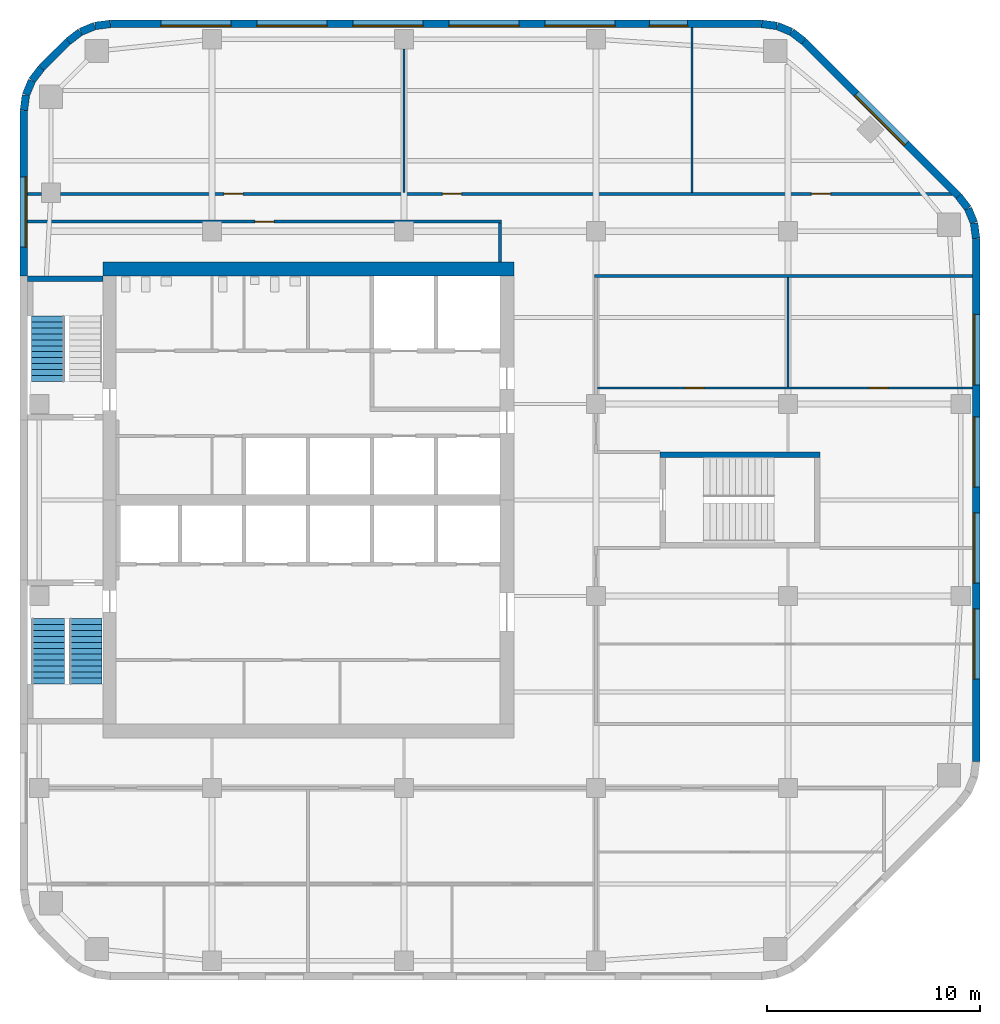
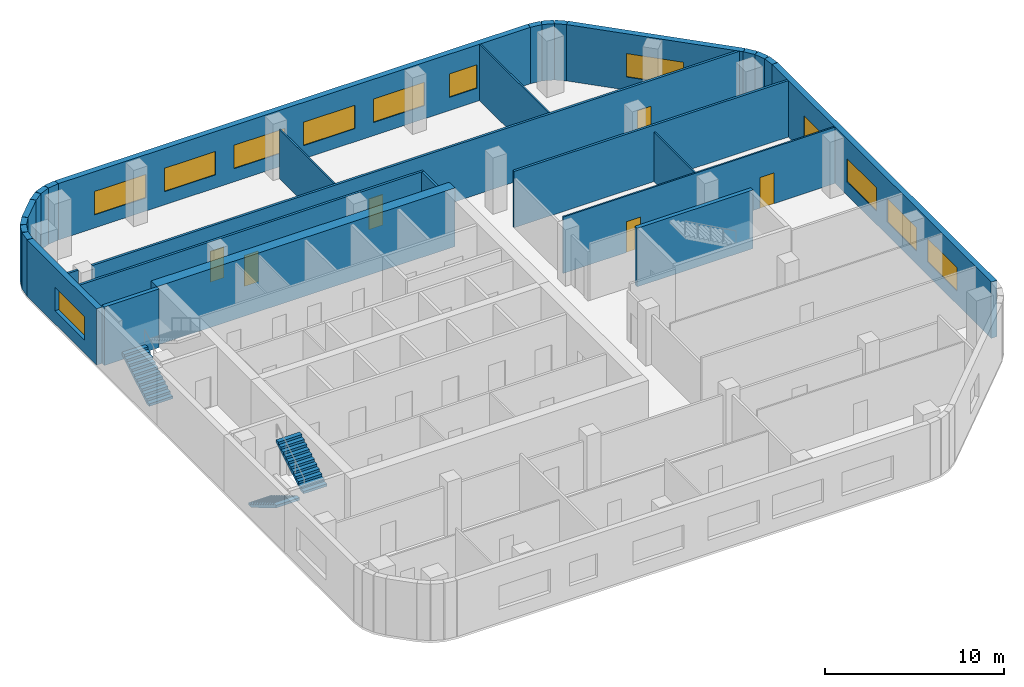
# One storey, part 5 of 8: 29 walls, 12 windows, 6 doors, 3 stair flights, 18 openings, 2 elements without a shape of their own.
"""IFC4 building model written with IfcOpenShell, lengths in metres."""

from ifc_helpers import new_model, si_unit, direction, frame, frame_2d, origin, place, context, subcontext, project, spatial, polyline, rectangle, outline, extrude, material, layer, layer_set, type_object, element, fill, aggregate, save


model = new_model("IFC4")

# Units and contexts
model_context = context("Model", 3, precision=1e-05, world=origin(), true_north=direction((0.0, 1.0)))
body_context = subcontext(model_context, "Body", "Model", "MODEL_VIEW")
ifc_project = project(units=[si_unit("LENGTHUNIT", "METRE"), si_unit("AREAUNIT", "SQUARE_METRE"), si_unit("VOLUMEUNIT", "CUBIC_METRE"), si_unit("PLANEANGLEUNIT", "RADIAN"), si_unit("MASSUNIT", "GRAM", prefix="KILO")], contexts=[model_context])

# Site, building, storey
site_placement = place(None, origin())
site = spatial("IfcSite", under=ifc_project, at=site_placement, CompositionType="ELEMENT")
building_placement = place(site_placement, origin())
building = spatial("IfcBuilding", under=site, at=building_placement, Name="Cinnabar Reach Civic Tower", CompositionType="ELEMENT")
storey_placement = place(building_placement, frame((0.0, 0.0, 177.0)))
storey = spatial("IfcBuildingStorey", under=building, at=storey_placement, Name="L42", CompositionType="ELEMENT", Elevation=177.0)

# Walls
ifc_material_1 = material(Name="Facing brick with insulated backing", Category="masonry")
ifc_layer_1 = layer(ifc_material_1, 0.36)
ifc_layer_set_1 = layer_set([ifc_layer_1], Name="Brick corner wall")
wall_type_1 = type_object("IfcWallType", Name="Brick corner wall", PredefinedType="STANDARD", material=ifc_layer_set_1)
for number, where, z_axis, x_axis, name in (
    (1, (44.817, 43.7686, 0.0), (0.0, 0.0, 1.0), (-0.13055608231, 0.99144092581, 0.0), "Brick corner wall"),
    (2, (44.7181, 44.4973, 0.0), (0.0, 0.0, 1.0), (-0.382702709855, 0.923871547278, 0.0), "Brick corner wall"),
):
    element("IfcWall", number, at=place(storey_placement, frame(where, z_axis=z_axis, x_axis=x_axis)), inside=storey, type_object=wall_type_1, Name=name, PredefinedType="STANDARD", context=body_context, shape_type="SweptSolid", body=[
        extrude(rectangle(XDim=0.7131, YDim=0.36, at=frame_2d((0.3565, 0.0))), origin(), (0.0, 0.0, 1.0), 3.85),
    ])
for number, where, z_axis, x_axis, name in (
    (3, (44.434, 45.1755, 0.0), (0.0, 0.0, 1.0), (-0.608802368033, 0.793321924995, 0.0), "Brick corner wall"),
    (4, (36.7413, 52.9998, 0.0), (0.0, 0.0, 1.0), (-0.793321924995, 0.608802368033, 0.0), "Brick corner wall"),
):
    element("IfcWall", number, at=place(storey_placement, frame(where, z_axis=z_axis, x_axis=x_axis)), inside=storey, type_object=wall_type_1, Name=name, PredefinedType="STANDARD", context=body_context, shape_type="SweptSolid", body=[
        extrude(rectangle(XDim=0.7132, YDim=0.36, at=frame_2d((0.3566, 0.0))), origin(), (0.0, 0.0, 1.0), 3.85),
    ])
for number, where, z_axis, x_axis, name in (
    (5, (36.1561, 53.4452, 0.0), (0.0, 0.0, 1.0), (-0.923871547278, 0.382702709855, 0.0), "Brick corner wall"),
    (6, (35.4756, 53.7239, 0.0), (0.0, 0.0, 1.0), (-0.99144092581, 0.13055608231, 0.0), "Brick corner wall"),
    (7, (4.2314, 53.817, 0.0), (0.0, 0.0, 1.0), (-0.99144092581, -0.13055608231, 0.0), "Brick corner wall"),
    (8, (3.5027, 53.7181, 0.0), (0.0, 0.0, 1.0), (-0.923871547278, -0.382702709855, 0.0), "Brick corner wall"),
):
    element("IfcWall", number, at=place(storey_placement, frame(where, z_axis=z_axis, x_axis=x_axis)), inside=storey, type_object=wall_type_1, Name=name, PredefinedType="STANDARD", context=body_context, shape_type="SweptSolid", body=[
        extrude(rectangle(XDim=0.7131, YDim=0.36, at=frame_2d((0.3565, 0.0))), origin(), (0.0, 0.0, 1.0), 3.85),
    ])
for number, where, z_axis, x_axis, name in (
    (9, (2.8245, 53.434, 0.0), (0.0, 0.0, 1.0), (-0.793321924995, -0.608802368033, 0.0), "Brick corner wall"),
    (10, (1.0002, 51.7413, 0.0), (0.0, 0.0, 1.0), (-0.608802368033, -0.793321924995, 0.0), "Brick corner wall"),
):
    element("IfcWall", number, at=place(storey_placement, frame(where, z_axis=z_axis, x_axis=x_axis)), inside=storey, type_object=wall_type_1, Name=name, PredefinedType="STANDARD", context=body_context, shape_type="SweptSolid", body=[
        extrude(rectangle(XDim=0.7132, YDim=0.36, at=frame_2d((0.3566, 0.0))), origin(), (0.0, 0.0, 1.0), 3.85),
    ])
for number, where, z_axis, x_axis, name in (
    (11, (0.5548, 51.1561, 0.0), (0.0, 0.0, 1.0), (-0.382702709855, -0.923871547278, 0.0), "Brick corner wall"),
    (12, (0.2761, 50.4756, 0.0), (0.0, 0.0, 1.0), (-0.13055608231, -0.99144092581, 0.0), "Brick corner wall"),
):
    element("IfcWall", number, at=place(storey_placement, frame(where, z_axis=z_axis, x_axis=x_axis)), inside=storey, type_object=wall_type_1, Name=name, PredefinedType="STANDARD", context=body_context, shape_type="SweptSolid", body=[
        extrude(rectangle(XDim=0.7131, YDim=0.36, at=frame_2d((0.3565, 0.0))), origin(), (0.0, 0.0, 1.0), 3.85),
    ])

# Wall, openings, windows
ifc_layer_2 = layer(ifc_material_1, 0.36)
ifc_layer_set_2 = layer_set([ifc_layer_2], Name="Brick pier and spandrel wall")
wall_type_2 = type_object("IfcWallType", Name="Brick pier and spandrel wall", PredefinedType="STANDARD", material=ifc_layer_set_2)
wall_1_placement = place(storey_placement, frame((44.82, 19.2426, 0.0), z_axis=(0.0, 0.0, 1.0), x_axis=(0.0, 1.0, 0.0)))
wall_1 = element("IfcWall", 13, at=wall_1_placement, inside=storey, type_object=wall_type_2, Name="Brick facade wall", PredefinedType="STANDARD", context=body_context, shape_type="SweptSolid", body=[
    extrude(rectangle(XDim=24.5148, YDim=0.36, at=frame_2d((12.2574, 0.0))), origin(), (0.0, 0.0, 1.0), 3.85),
])
opening_1_placement = place(wall_1_placement, frame((3.8574, 0.0, 0.9)))
opening_1 = element("IfcOpeningElement", 14, at=opening_1_placement, cuts=wall_1, Name="Opening W1868", PredefinedType="OPENING", context=body_context, shape_type="SweptSolid", body=[
    extrude(rectangle(XDim=3.3, YDim=1.6, at=frame_2d((1.65, 0.8))), frame((0.0, 0.19, 0.0), z_axis=(0.0, -1.0, 0.0), x_axis=(1.0, 0.0, 0.0)), (0.0, 0.0, 1.0), 0.38),
])
opening_2_placement = place(wall_1_placement, frame((8.3574, 0.0, 0.9)))
opening_2 = element("IfcOpeningElement", 15, at=opening_2_placement, cuts=wall_1, Name="Opening W1869", PredefinedType="OPENING", context=body_context, shape_type="SweptSolid", body=[
    extrude(rectangle(XDim=3.3, YDim=1.6, at=frame_2d((1.65, 0.8))), frame((0.0, 0.19, 0.0), z_axis=(0.0, -1.0, 0.0), x_axis=(1.0, 0.0, 0.0)), (0.0, 0.0, 1.0), 0.38),
])
opening_3_placement = place(wall_1_placement, frame((12.8574, 0.0, 0.9)))
opening_3 = element("IfcOpeningElement", 16, at=opening_3_placement, cuts=wall_1, Name="Opening W1870", PredefinedType="OPENING", context=body_context, shape_type="SweptSolid", body=[
    extrude(rectangle(XDim=3.3, YDim=1.6, at=frame_2d((1.65, 0.8))), frame((0.0, 0.19, 0.0), z_axis=(0.0, -1.0, 0.0), x_axis=(1.0, 0.0, 0.0)), (0.0, 0.0, 1.0), 0.38),
])
opening_4_placement = place(wall_1_placement, frame((17.6574, 0.0, 0.9)))
opening_4 = element("IfcOpeningElement", 17, at=opening_4_placement, cuts=wall_1, Name="Opening W1871", PredefinedType="OPENING", context=body_context, shape_type="SweptSolid", body=[
    extrude(rectangle(XDim=3.3, YDim=1.6, at=frame_2d((1.65, 0.8))), frame((0.0, 0.19, 0.0), z_axis=(0.0, -1.0, 0.0), x_axis=(1.0, 0.0, 0.0)), (0.0, 0.0, 1.0), 0.38),
])
ifc_material_2 = material(Name="Clear double glazing in aluminium frame", Category="aluminium")
window_type_1 = type_object("IfcWindowType", Name="Deep-set window A", PartitioningType="SINGLE_PANEL", PredefinedType="WINDOW", material=ifc_material_2)
window_1_placement = place(opening_1_placement, origin())
window_1 = element("IfcWindow", 18, at=window_1_placement, inside=storey, type_object=window_type_1, Name="Window east face", OverallHeight=1.6, OverallWidth=3.3, PartitioningType="SINGLE_PANEL", PredefinedType="WINDOW", context=body_context, shape_type="SweptSolid", body=[
    extrude(rectangle(XDim=3.3, YDim=1.6, at=frame_2d((1.65, 0.8))), frame((0.0, 0.13, 0.0), z_axis=(0.0, -1.0, 0.0), x_axis=(1.0, 0.0, 0.0)), (0.0, 0.0, 1.0), 0.06),
])
fill(opening_1, window_1)
window_2_placement = place(opening_2_placement, origin())
window_2 = element("IfcWindow", 19, at=window_2_placement, inside=storey, type_object=window_type_1, Name="Window east face", OverallHeight=1.6, OverallWidth=3.3, PartitioningType="SINGLE_PANEL", PredefinedType="WINDOW", context=body_context, shape_type="SweptSolid", body=[
    extrude(rectangle(XDim=3.3, YDim=1.6, at=frame_2d((1.65, 0.8))), frame((0.0, 0.13, 0.0), z_axis=(0.0, -1.0, 0.0), x_axis=(1.0, 0.0, 0.0)), (0.0, 0.0, 1.0), 0.06),
])
fill(opening_2, window_2)
window_3_placement = place(opening_3_placement, origin())
window_3 = element("IfcWindow", 20, at=window_3_placement, inside=storey, type_object=window_type_1, Name="Window east face", OverallHeight=1.6, OverallWidth=3.3, PartitioningType="SINGLE_PANEL", PredefinedType="WINDOW", context=body_context, shape_type="SweptSolid", body=[
    extrude(rectangle(XDim=3.3, YDim=1.6, at=frame_2d((1.65, 0.8))), frame((0.0, 0.13, 0.0), z_axis=(0.0, -1.0, 0.0), x_axis=(1.0, 0.0, 0.0)), (0.0, 0.0, 1.0), 0.06),
])
fill(opening_3, window_3)
window_4_placement = place(opening_4_placement, origin())
window_4 = element("IfcWindow", 21, at=window_4_placement, inside=storey, type_object=window_type_1, Name="Window east face", OverallHeight=1.6, OverallWidth=3.3, PartitioningType="SINGLE_PANEL", PredefinedType="WINDOW", context=body_context, shape_type="SweptSolid", body=[
    extrude(rectangle(XDim=3.3, YDim=1.6, at=frame_2d((1.65, 0.8))), frame((0.0, 0.13, 0.0), z_axis=(0.0, -1.0, 0.0), x_axis=(1.0, 0.0, 0.0)), (0.0, 0.0, 1.0), 0.06),
])
fill(opening_4, window_4)

# Wall, opening, window
wall_2_placement = place(storey_placement, frame((43.994, 45.7514, 0.0), z_axis=(0.0, 0.0, 1.0), x_axis=(-0.707106781187, 0.707106781187, 0.0)))
wall_2 = element("IfcWall", 22, at=wall_2_placement, inside=storey, type_object=wall_type_2, Name="Brick facade wall", PredefinedType="STANDARD", context=body_context, shape_type="SweptSolid", body=[
    extrude(rectangle(XDim=10.2426, YDim=0.36, at=frame_2d((5.1213, 0.0))), origin(), (0.0, 0.0, 1.0), 3.85),
])
opening_5_placement = place(wall_2_placement, frame((3.4713, 0.0, 0.9)))
opening_5 = element("IfcOpeningElement", 23, at=opening_5_placement, cuts=wall_2, Name="Opening W1872", PredefinedType="OPENING", context=body_context, shape_type="SweptSolid", body=[
    extrude(rectangle(XDim=3.3, YDim=1.6, at=frame_2d((1.65, 0.8))), frame((0.0, 0.19, 0.0), z_axis=(0.0, -1.0, 0.0), x_axis=(1.0, 0.0, 0.0)), (0.0, 0.0, 1.0), 0.38),
])
window_5_placement = place(opening_5_placement, origin())
window_5 = element("IfcWindow", 24, at=window_5_placement, inside=storey, type_object=window_type_1, Name="Window northeast face", OverallHeight=1.6, OverallWidth=3.3, PartitioningType="SINGLE_PANEL", PredefinedType="WINDOW", context=body_context, shape_type="SweptSolid", body=[
    extrude(rectangle(XDim=3.3, YDim=1.6, at=frame_2d((1.65, 0.8))), frame((0.0, 0.13, 0.0), z_axis=(0.0, -1.0, 0.0), x_axis=(1.0, 0.0, 0.0)), (0.0, 0.0, 1.0), 0.06),
])
fill(opening_5, window_5)

# Wall, openings, windows
wall_3_placement = place(storey_placement, frame((34.7574, 53.82, 0.0), z_axis=(0.0, 0.0, 1.0), x_axis=(-1.0, 0.0, 0.0)))
wall_3 = element("IfcWall", 25, at=wall_3_placement, inside=storey, type_object=wall_type_2, Name="Brick facade wall", PredefinedType="STANDARD", context=body_context, shape_type="SweptSolid", body=[
    extrude(rectangle(XDim=30.5148, YDim=0.36, at=frame_2d((15.2574, 0.0))), origin(), (0.0, 0.0, 1.0), 3.85),
])
opening_6_placement = place(wall_3_placement, frame((3.4574, 0.0, 0.9)))
opening_6 = element("IfcOpeningElement", 26, at=opening_6_placement, cuts=wall_3, Name="Opening W1873", PredefinedType="OPENING", context=body_context, shape_type="SweptSolid", body=[
    extrude(rectangle(XDim=1.8, YDim=1.6, at=frame_2d((0.9, 0.8))), frame((0.0, 0.19, 0.0), z_axis=(0.0, -1.0, 0.0), x_axis=(1.0, 0.0, 0.0)), (0.0, 0.0, 1.0), 0.38),
])
opening_7_placement = place(wall_3_placement, frame((6.8574, 0.0, 0.9)))
opening_7 = element("IfcOpeningElement", 27, at=opening_7_placement, cuts=wall_3, Name="Opening W1874", PredefinedType="OPENING", context=body_context, shape_type="SweptSolid", body=[
    extrude(rectangle(XDim=3.3, YDim=1.6, at=frame_2d((1.65, 0.8))), frame((0.0, 0.19, 0.0), z_axis=(0.0, -1.0, 0.0), x_axis=(1.0, 0.0, 0.0)), (0.0, 0.0, 1.0), 0.38),
])
opening_8_placement = place(wall_3_placement, frame((11.3574, 0.0, 0.9)))
opening_8 = element("IfcOpeningElement", 28, at=opening_8_placement, cuts=wall_3, Name="Opening W1875", PredefinedType="OPENING", context=body_context, shape_type="SweptSolid", body=[
    extrude(rectangle(XDim=3.3, YDim=1.6, at=frame_2d((1.65, 0.8))), frame((0.0, 0.19, 0.0), z_axis=(0.0, -1.0, 0.0), x_axis=(1.0, 0.0, 0.0)), (0.0, 0.0, 1.0), 0.38),
])
opening_9_placement = place(wall_3_placement, frame((15.8574, 0.0, 0.9)))
opening_9 = element("IfcOpeningElement", 29, at=opening_9_placement, cuts=wall_3, Name="Opening W1876", PredefinedType="OPENING", context=body_context, shape_type="SweptSolid", body=[
    extrude(rectangle(XDim=3.3, YDim=1.6, at=frame_2d((1.65, 0.8))), frame((0.0, 0.19, 0.0), z_axis=(0.0, -1.0, 0.0), x_axis=(1.0, 0.0, 0.0)), (0.0, 0.0, 1.0), 0.38),
])
opening_10_placement = place(wall_3_placement, frame((20.3574, 0.0, 0.9)))
opening_10 = element("IfcOpeningElement", 30, at=opening_10_placement, cuts=wall_3, Name="Opening W1877", PredefinedType="OPENING", context=body_context, shape_type="SweptSolid", body=[
    extrude(rectangle(XDim=3.3, YDim=1.6, at=frame_2d((1.65, 0.8))), frame((0.0, 0.19, 0.0), z_axis=(0.0, -1.0, 0.0), x_axis=(1.0, 0.0, 0.0)), (0.0, 0.0, 1.0), 0.38),
])
opening_11_placement = place(wall_3_placement, frame((24.8574, 0.0, 0.9)))
opening_11 = element("IfcOpeningElement", 31, at=opening_11_placement, cuts=wall_3, Name="Opening W1878", PredefinedType="OPENING", context=body_context, shape_type="SweptSolid", body=[
    extrude(rectangle(XDim=3.3, YDim=1.6, at=frame_2d((1.65, 0.8))), frame((0.0, 0.19, 0.0), z_axis=(0.0, -1.0, 0.0), x_axis=(1.0, 0.0, 0.0)), (0.0, 0.0, 1.0), 0.38),
])
window_6_placement = place(opening_7_placement, origin())
window_6 = element("IfcWindow", 32, at=window_6_placement, inside=storey, type_object=window_type_1, Name="Window north face", OverallHeight=1.6, OverallWidth=3.3, PartitioningType="SINGLE_PANEL", PredefinedType="WINDOW", context=body_context, shape_type="SweptSolid", body=[
    extrude(rectangle(XDim=3.3, YDim=1.6, at=frame_2d((1.65, 0.8))), frame((0.0, 0.13, 0.0), z_axis=(0.0, -1.0, 0.0), x_axis=(1.0, 0.0, 0.0)), (0.0, 0.0, 1.0), 0.06),
])
fill(opening_7, window_6)
window_7_placement = place(opening_8_placement, origin())
window_7 = element("IfcWindow", 33, at=window_7_placement, inside=storey, type_object=window_type_1, Name="Window north face", OverallHeight=1.6, OverallWidth=3.3, PartitioningType="SINGLE_PANEL", PredefinedType="WINDOW", context=body_context, shape_type="SweptSolid", body=[
    extrude(rectangle(XDim=3.3, YDim=1.6, at=frame_2d((1.65, 0.8))), frame((0.0, 0.13, 0.0), z_axis=(0.0, -1.0, 0.0), x_axis=(1.0, 0.0, 0.0)), (0.0, 0.0, 1.0), 0.06),
])
fill(opening_8, window_7)
window_8_placement = place(opening_9_placement, origin())
window_8 = element("IfcWindow", 34, at=window_8_placement, inside=storey, type_object=window_type_1, Name="Window north face", OverallHeight=1.6, OverallWidth=3.3, PartitioningType="SINGLE_PANEL", PredefinedType="WINDOW", context=body_context, shape_type="SweptSolid", body=[
    extrude(rectangle(XDim=3.3, YDim=1.6, at=frame_2d((1.65, 0.8))), frame((0.0, 0.13, 0.0), z_axis=(0.0, -1.0, 0.0), x_axis=(1.0, 0.0, 0.0)), (0.0, 0.0, 1.0), 0.06),
])
fill(opening_9, window_8)
window_9_placement = place(opening_10_placement, origin())
window_9 = element("IfcWindow", 35, at=window_9_placement, inside=storey, type_object=window_type_1, Name="Window north face", OverallHeight=1.6, OverallWidth=3.3, PartitioningType="SINGLE_PANEL", PredefinedType="WINDOW", context=body_context, shape_type="SweptSolid", body=[
    extrude(rectangle(XDim=3.3, YDim=1.6, at=frame_2d((1.65, 0.8))), frame((0.0, 0.13, 0.0), z_axis=(0.0, -1.0, 0.0), x_axis=(1.0, 0.0, 0.0)), (0.0, 0.0, 1.0), 0.06),
])
fill(opening_10, window_9)
window_10_placement = place(opening_11_placement, origin())
window_10 = element("IfcWindow", 36, at=window_10_placement, inside=storey, type_object=window_type_1, Name="Window north face", OverallHeight=1.6, OverallWidth=3.3, PartitioningType="SINGLE_PANEL", PredefinedType="WINDOW", context=body_context, shape_type="SweptSolid", body=[
    extrude(rectangle(XDim=3.3, YDim=1.6, at=frame_2d((1.65, 0.8))), frame((0.0, 0.13, 0.0), z_axis=(0.0, -1.0, 0.0), x_axis=(1.0, 0.0, 0.0)), (0.0, 0.0, 1.0), 0.06),
])
fill(opening_11, window_10)
window_type_2 = type_object("IfcWindowType", Name="Deep-set window D", PartitioningType="SINGLE_PANEL", PredefinedType="WINDOW", material=ifc_material_2)
window_11_placement = place(opening_6_placement, origin())
window_11 = element("IfcWindow", 37, at=window_11_placement, inside=storey, type_object=window_type_2, Name="Window north face", OverallHeight=1.6, OverallWidth=1.8, PartitioningType="SINGLE_PANEL", PredefinedType="WINDOW", context=body_context, shape_type="SweptSolid", body=[
    extrude(rectangle(XDim=1.8, YDim=1.6, at=frame_2d((0.9, 0.8))), frame((0.0, 0.13, 0.0), z_axis=(0.0, -1.0, 0.0), x_axis=(1.0, 0.0, 0.0)), (0.0, 0.0, 1.0), 0.06),
])
fill(opening_6, window_11)

# Wall
wall_4_placement = place(storey_placement, frame((2.2486, 52.994, 0.0), z_axis=(0.0, 0.0, 1.0), x_axis=(-0.707106781187, -0.707106781187, 0.0)))
element("IfcWall", 38, at=wall_4_placement, inside=storey, type_object=wall_type_2, Name="Brick facade wall", PredefinedType="STANDARD", context=body_context, shape_type="SweptSolid", body=[
    extrude(rectangle(XDim=1.7573, YDim=0.36, at=frame_2d((0.8787, 0.0))), origin(), (0.0, 0.0, 1.0), 3.85),
])

# Wall, opening, window
wall_5_placement = place(storey_placement, frame((0.18, 49.7574, 0.0), z_axis=(0.0, 0.0, 1.0), x_axis=(0.0, -1.0, 0.0)))
wall_5 = element("IfcWall", 39, at=wall_5_placement, inside=storey, type_object=wall_type_2, Name="Brick facade wall", PredefinedType="STANDARD", context=body_context, shape_type="SweptSolid", body=[
    extrude(rectangle(XDim=7.7574, YDim=0.36, at=frame_2d((3.8787, 0.0))), origin(), (0.0, 0.0, 1.0), 3.85),
])
opening_12_placement = place(wall_5_placement, frame((3.1074, 0.0, 0.9)))
opening_12 = element("IfcOpeningElement", 40, at=opening_12_placement, cuts=wall_5, Name="Opening W1879", PredefinedType="OPENING", context=body_context, shape_type="SweptSolid", body=[
    extrude(rectangle(XDim=3.3, YDim=1.6, at=frame_2d((1.65, 0.8))), frame((0.0, 0.19, 0.0), z_axis=(0.0, -1.0, 0.0), x_axis=(1.0, 0.0, 0.0)), (0.0, 0.0, 1.0), 0.38),
])
window_12_placement = place(opening_12_placement, origin())
window_12 = element("IfcWindow", 41, at=window_12_placement, inside=storey, type_object=window_type_1, Name="Window west face", OverallHeight=1.6, OverallWidth=3.3, PartitioningType="SINGLE_PANEL", PredefinedType="WINDOW", context=body_context, shape_type="SweptSolid", body=[
    extrude(rectangle(XDim=3.3, YDim=1.6, at=frame_2d((1.65, 0.8))), frame((0.0, 0.13, 0.0), z_axis=(0.0, -1.0, 0.0), x_axis=(1.0, 0.0, 0.0)), (0.0, 0.0, 1.0), 0.06),
])
fill(opening_12, window_12)

# Wall
ifc_material_3 = material(Name="Concrete C70", Category="concrete")
ifc_layer_3 = layer(ifc_material_3, 0.65)
ifc_layer_set_3 = layer_set([ifc_layer_3], Name="Core wall 650 EI 180")
wall_type_3 = type_object("IfcWallType", Name="Core wall 650 EI 180", PredefinedType="SOLIDWALL", material=ifc_layer_set_3)
wall_6_placement = place(storey_placement, frame((23.15, 42.325, 0.0), z_axis=(0.0, 0.0, 1.0), x_axis=(-1.0, 0.0, 0.0)))
element("IfcWall", 42, at=wall_6_placement, inside=storey, type_object=wall_type_3, Name="Core wall T1 L42 N", PredefinedType="SOLIDWALL", context=body_context, shape_type="SweptSolid", body=[
    extrude(rectangle(XDim=19.25, YDim=0.65, at=frame_2d((9.625, 0.0))), origin(), (0.0, 0.0, 1.0), 4.0),
])

# Wall, openings, doors
ifc_material_4 = material(Name="Gypsum board on steel studs, double layer", Category="steel")
ifc_layer_4 = layer(ifc_material_4, 0.15)
ifc_layer_set_4 = layer_set([ifc_layer_4], Name="Corridor wall 150 T1")
wall_type_4 = type_object("IfcWallType", Name="Corridor wall 150 T1", PredefinedType="PARTITIONING", material=ifc_layer_set_4)
wall_7_placement = place(storey_placement, frame((1.9031, 45.85, 0.0), z_axis=(0.0, 0.0, 1.0), x_axis=(1.0, 0.0, 0.0)))
wall_7 = element("IfcWall", 43, at=wall_7_placement, inside=storey, type_object=wall_type_4, Name="Corridor wall 18", PredefinedType="PARTITIONING", context=body_context, shape_type="SweptSolid", body=[
    extrude(rectangle(XDim=41.8128, YDim=0.15, at=frame_2d((20.9064, 0.0))), origin(), (0.0, 0.0, 1.0), 3.85),
])
opening_13_placement = place(wall_7_placement, frame((7.65, 0.0, 0.0)))
opening_13 = element("IfcOpeningElement", 44, at=opening_13_placement, cuts=wall_7, Name="Opening D4748", PredefinedType="OPENING", context=body_context, shape_type="SweptSolid", body=[
    extrude(rectangle(XDim=0.9, YDim=2.1, at=frame_2d((0.45, 1.05))), frame((0.0, 0.085, 0.0), z_axis=(0.0, -1.0, 0.0), x_axis=(1.0, 0.0, 0.0)), (0.0, 0.0, 1.0), 0.17),
])
opening_14_placement = place(wall_7_placement, frame((17.8969, 0.0, 0.0)))
opening_14 = element("IfcOpeningElement", 45, at=opening_14_placement, cuts=wall_7, Name="Opening D4749", PredefinedType="OPENING", context=body_context, shape_type="SweptSolid", body=[
    extrude(rectangle(XDim=0.9, YDim=2.1, at=frame_2d((0.45, 1.05))), frame((0.0, 0.085, 0.0), z_axis=(0.0, -1.0, 0.0), x_axis=(1.0, 0.0, 0.0)), (0.0, 0.0, 1.0), 0.17),
])
opening_15_placement = place(wall_7_placement, frame((35.1969, 0.0, 0.0)))
opening_15 = element("IfcOpeningElement", 46, at=opening_15_placement, cuts=wall_7, Name="Opening D4750", PredefinedType="OPENING", context=body_context, shape_type="SweptSolid", body=[
    extrude(rectangle(XDim=0.9, YDim=2.1, at=frame_2d((0.45, 1.05))), frame((0.0, 0.085, 0.0), z_axis=(0.0, -1.0, 0.0), x_axis=(1.0, 0.0, 0.0)), (0.0, 0.0, 1.0), 0.17),
])
ifc_material_5 = material(Name="Timber door leaf in steel frame", Category="steel")
door_type_1 = type_object("IfcDoorType", Name="Single swing door 900 x 2100 corridor T1", OperationType="SINGLE_SWING_LEFT", PredefinedType="DOOR", material=ifc_material_5)
door_1_placement = place(opening_13_placement, origin())
door_1 = element("IfcDoor", 47, at=door_1_placement, inside=storey, type_object=door_type_1, Name="Door D4748", OperationType="SINGLE_SWING_RIGHT", OverallHeight=2.1, OverallWidth=0.9, PredefinedType="DOOR", context=body_context, shape_type="SweptSolid", body=[
    extrude(rectangle(XDim=0.9, YDim=2.1, at=frame_2d((0.45, 1.05))), frame((0.0, 0.025, 0.0), z_axis=(0.0, -1.0, 0.0), x_axis=(1.0, 0.0, 0.0)), (0.0, 0.0, 1.0), 0.05),
])
fill(opening_13, door_1)
door_2_placement = place(opening_14_placement, origin())
door_2 = element("IfcDoor", 48, at=door_2_placement, inside=storey, type_object=door_type_1, Name="Door D4749", OperationType="SINGLE_SWING_RIGHT", OverallHeight=2.1, OverallWidth=0.9, PredefinedType="DOOR", context=body_context, shape_type="SweptSolid", body=[
    extrude(rectangle(XDim=0.9, YDim=2.1, at=frame_2d((0.45, 1.05))), frame((0.0, 0.025, 0.0), z_axis=(0.0, -1.0, 0.0), x_axis=(1.0, 0.0, 0.0)), (0.0, 0.0, 1.0), 0.05),
])
fill(opening_14, door_2)
door_3_placement = place(opening_15_placement, origin())
door_3 = element("IfcDoor", 49, at=door_3_placement, inside=storey, type_object=door_type_1, Name="Door D4750", OperationType="SINGLE_SWING_RIGHT", OverallHeight=2.1, OverallWidth=0.9, PredefinedType="DOOR", context=body_context, shape_type="SweptSolid", body=[
    extrude(rectangle(XDim=0.9, YDim=2.1, at=frame_2d((0.45, 1.05))), frame((0.0, 0.025, 0.0), z_axis=(0.0, -1.0, 0.0), x_axis=(1.0, 0.0, 0.0)), (0.0, 0.0, 1.0), 0.05),
])
fill(opening_15, door_3)

# Wall
wall_8_placement = place(storey_placement, frame((0.36, 45.85, 0.0), z_axis=(0.0, 0.0, 1.0), x_axis=(1.0, 0.0, 0.0)))
element("IfcWall", 50, at=wall_8_placement, inside=storey, type_object=wall_type_4, Name="Corridor wall 19", PredefinedType="PARTITIONING", context=body_context, shape_type="SweptSolid", body=[
    extrude(rectangle(XDim=0.6431, YDim=0.15, at=frame_2d((0.3216, 0.0))), origin(), (0.0, 0.0, 1.0), 3.85),
])

# Wall, opening, door
wall_9_placement = place(storey_placement, frame((0.36, 44.55, 0.0), z_axis=(0.0, 0.0, 1.0), x_axis=(1.0, 0.0, 0.0)))
wall_9 = element("IfcWall", 51, at=wall_9_placement, inside=storey, type_object=wall_type_4, Name="Corridor wall 25", PredefinedType="PARTITIONING", context=body_context, shape_type="SweptSolid", body=[
    extrude(rectangle(XDim=22.215, YDim=0.15, at=frame_2d((11.1075, 0.0))), origin(), (0.0, 0.0, 1.0), 3.85),
])
opening_16_placement = place(wall_9_placement, frame((10.65, 0.0, 0.0)))
opening_16 = element("IfcOpeningElement", 52, at=opening_16_placement, cuts=wall_9, Name="Opening D5797", PredefinedType="OPENING", context=body_context, shape_type="SweptSolid", body=[
    extrude(rectangle(XDim=0.9, YDim=2.1, at=frame_2d((0.45, 1.05))), frame((0.0, 0.085, 0.0), z_axis=(0.0, -1.0, 0.0), x_axis=(1.0, 0.0, 0.0)), (0.0, 0.0, 1.0), 0.17),
])
door_4_placement = place(opening_16_placement, frame((0.9, 0.0, 0.0), z_axis=(0.0, 0.0, 1.0), x_axis=(-1.0, 0.0, 0.0)))
door_4 = element("IfcDoor", 53, at=door_4_placement, inside=storey, type_object=door_type_1, Name="Door D5797", OperationType="SINGLE_SWING_LEFT", OverallHeight=2.1, OverallWidth=0.9, PredefinedType="DOOR", context=body_context, shape_type="SweptSolid", body=[
    extrude(rectangle(XDim=0.9, YDim=2.1, at=frame_2d((0.45, 1.05))), frame((0.0, 0.025, 0.0), z_axis=(0.0, -1.0, 0.0), x_axis=(1.0, 0.0, 0.0)), (0.0, 0.0, 1.0), 0.05),
])
fill(opening_16, door_4)

# Walls
wall_10_placement = place(storey_placement, frame((26.925, 42.0, 0.0), z_axis=(0.0, 0.0, 1.0), x_axis=(1.0, 0.0, 0.0)))
element("IfcWall", 54, at=wall_10_placement, inside=storey, type_object=wall_type_4, Name="Corridor wall 28", PredefinedType="PARTITIONING", context=body_context, shape_type="SweptSolid", body=[
    extrude(rectangle(XDim=17.715, YDim=0.15, at=frame_2d((8.8575, 0.0))), origin(), (0.0, 0.0, 1.0), 3.85),
])
wall_11_placement = place(storey_placement, frame((22.5, 42.65, 0.0), z_axis=(0.0, 0.0, 1.0), x_axis=(0.0, 1.0, 0.0)))
element("IfcWall", 55, at=wall_11_placement, inside=storey, type_object=wall_type_4, Name="Corridor wall 40", PredefinedType="PARTITIONING", context=body_context, shape_type="SweptSolid", body=[
    extrude(rectangle(XDim=1.825, YDim=0.15, at=frame_2d((0.9125, 0.0))), origin(), (0.0, 0.0, 1.0), 3.85),
])

# Wall, openings, doors
ifc_material_6 = material(Name="Gypsum board on steel studs", Category="steel")
ifc_layer_5 = layer(ifc_material_6, 0.1)
ifc_layer_set_5 = layer_set([ifc_layer_5], Name="Partition wall 100 T1")
wall_type_5 = type_object("IfcWallType", Name="Partition wall 100 T1", PredefinedType="PARTITIONING", material=ifc_layer_set_5)
wall_12_placement = place(storey_placement, frame((27.075, 36.75, 0.0), z_axis=(0.0, 0.0, 1.0), x_axis=(1.0, 0.0, 0.0)))
wall_12 = element("IfcWall", 56, at=wall_12_placement, inside=storey, type_object=wall_type_5, Name="Partition wall 49", PredefinedType="PARTITIONING", context=body_context, shape_type="SweptSolid", body=[
    extrude(rectangle(XDim=17.565, YDim=0.1, at=frame_2d((8.7825, 0.0))), origin(), (0.0, 0.0, 1.0), 3.85),
])
opening_17_placement = place(wall_12_placement, frame((4.1, 0.0, 0.0)))
opening_17 = element("IfcOpeningElement", 57, at=opening_17_placement, cuts=wall_12, Name="Opening D4736", PredefinedType="OPENING", context=body_context, shape_type="SweptSolid", body=[
    extrude(rectangle(XDim=0.9, YDim=2.1, at=frame_2d((0.45, 1.05))), frame((0.0, 0.06, 0.0), z_axis=(0.0, -1.0, 0.0), x_axis=(1.0, 0.0, 0.0)), (0.0, 0.0, 1.0), 0.12),
])
opening_18_placement = place(wall_12_placement, frame((12.725, 0.0, 0.0)))
opening_18 = element("IfcOpeningElement", 58, at=opening_18_placement, cuts=wall_12, Name="Opening D4737", PredefinedType="OPENING", context=body_context, shape_type="SweptSolid", body=[
    extrude(rectangle(XDim=0.9, YDim=2.1, at=frame_2d((0.45, 1.05))), frame((0.0, 0.06, 0.0), z_axis=(0.0, -1.0, 0.0), x_axis=(1.0, 0.0, 0.0)), (0.0, 0.0, 1.0), 0.12),
])
door_type_2 = type_object("IfcDoorType", Name="Single swing door 900 x 2100 T1", OperationType="SINGLE_SWING_LEFT", PredefinedType="DOOR", material=ifc_material_5)
door_5_placement = place(opening_17_placement, origin())
door_5 = element("IfcDoor", 59, at=door_5_placement, inside=storey, type_object=door_type_2, Name="Door D4736", OperationType="SINGLE_SWING_RIGHT", OverallHeight=2.1, OverallWidth=0.9, PredefinedType="DOOR", context=body_context, shape_type="SweptSolid", body=[
    extrude(rectangle(XDim=0.9, YDim=2.1, at=frame_2d((0.45, 1.05))), frame((0.0, 0.025, 0.0), z_axis=(0.0, -1.0, 0.0), x_axis=(1.0, 0.0, 0.0)), (0.0, 0.0, 1.0), 0.05),
])
fill(opening_17, door_5)
door_6_placement = place(opening_18_placement, origin())
door_6 = element("IfcDoor", 60, at=door_6_placement, inside=storey, type_object=door_type_2, Name="Door D4737", OperationType="SINGLE_SWING_LEFT", OverallHeight=2.1, OverallWidth=0.9, PredefinedType="DOOR", context=body_context, shape_type="SweptSolid", body=[
    extrude(rectangle(XDim=0.9, YDim=2.1, at=frame_2d((0.45, 1.05))), frame((0.0, 0.025, 0.0), z_axis=(0.0, -1.0, 0.0), x_axis=(1.0, 0.0, 0.0)), (0.0, 0.0, 1.0), 0.05),
])
fill(opening_18, door_6)

# Walls
wall_13_placement = place(storey_placement, frame((18.0, 45.925, 0.0), z_axis=(0.0, 0.0, 1.0), x_axis=(0.0, 1.0, 0.0)))
element("IfcWall", 61, at=wall_13_placement, inside=storey, type_object=wall_type_5, Name="Partition wall 51", PredefinedType="PARTITIONING", context=body_context, shape_type="SweptSolid", body=[
    extrude(rectangle(XDim=6.725, YDim=0.1, at=frame_2d((3.3625, 0.0))), origin(), (0.0, 0.0, 1.0), 3.362),
])
wall_14_placement = place(storey_placement, frame((31.5, 45.925, 0.0), z_axis=(0.0, 0.0, 1.0), x_axis=(0.0, 1.0, 0.0)))
element("IfcWall", 62, at=wall_14_placement, inside=storey, type_object=wall_type_5, Name="Partition wall 52", PredefinedType="PARTITIONING", context=body_context, shape_type="SweptSolid", body=[
    extrude(rectangle(XDim=7.715, YDim=0.1, at=frame_2d((3.8575, 0.0))), origin(), (0.0, 0.0, 1.0), 3.85),
])
wall_15_placement = place(storey_placement, frame((36.0, 36.8, 0.0), z_axis=(0.0, 0.0, 1.0), x_axis=(0.0, 1.0, 0.0)))
element("IfcWall", 63, at=wall_15_placement, inside=storey, type_object=wall_type_5, Name="Partition wall 53", PredefinedType="PARTITIONING", context=body_context, shape_type="SweptSolid", body=[
    extrude(rectangle(XDim=5.125, YDim=0.1, at=frame_2d((2.5625, 0.0))), origin(), (0.0, 0.0, 1.0), 3.362),
])
ifc_material_7 = material(Name="Concrete C60", Category="concrete")
ifc_layer_6 = layer(ifc_material_7, 0.25)
ifc_layer_set_6 = layer_set([ifc_layer_6], Name="Stair shaft wall 250 EI 120")
wall_type_6 = type_object("IfcWallType", Name="Stair shaft wall 250 EI 120", PredefinedType="SOLIDWALL", material=ifc_layer_set_6)
wall_16_placement = place(storey_placement, frame((3.9, 41.875, 0.0), z_axis=(0.0, 0.0, 1.0), x_axis=(-1.0, 0.0, 0.0)))
element("IfcWall", 64, at=wall_16_placement, inside=storey, type_object=wall_type_6, Name="Stair shaft wall T1-S2 L42", PredefinedType="SOLIDWALL", context=body_context, shape_type="SweptSolid", body=[
    extrude(rectangle(XDim=3.54, YDim=0.25, at=frame_2d((1.77, 0.0))), origin(), (0.0, 0.0, 1.0), 4.0),
])
wall_17_placement = place(storey_placement, frame((37.5, 33.625, 0.0), z_axis=(0.0, 0.0, 1.0), x_axis=(-1.0, 0.0, 0.0)))
element("IfcWall", 65, at=wall_17_placement, inside=storey, type_object=wall_type_6, Name="Stair shaft wall T1-S3 L42", PredefinedType="SOLIDWALL", context=body_context, shape_type="SweptSolid", body=[
    extrude(rectangle(XDim=7.5, YDim=0.25, at=frame_2d((3.75, 0.0))), origin(), (0.0, 0.0, 1.0), 4.0),
])

# Stair, stair flights
ifc_material_8 = material(Name="Concrete C40/50", Category="concrete")
stair_type = type_object("IfcStairType", Name="T1 Exit stair, half-turn", PredefinedType="HALF_TURN_STAIR", material=ifc_material_8)
stair_1_placement = place(storey_placement, origin())
stair_1 = element("IfcStair", 66, at=stair_1_placement, inside=storey, type_object=stair_type, Name="Stair T1-S1", PredefinedType="HALF_TURN_STAIR")
stair_flight_type = type_object("IfcStairFlightType", Name="T1 Stair flight, concrete", PredefinedType="STRAIGHT", material=ifc_material_8)
stair_flight_1_placement = place(storey_placement, frame((1.3125, 25.95, 0.0), z_axis=(0.0, 0.0, 1.0), x_axis=(0.0, -1.0, 0.0)))
stair_flight_1 = element("IfcStairFlight", 67, at=stair_flight_1_placement, type_object=stair_flight_type, Name="T1-S1 flight 1", NumberOfRisers=12, NumberOfTreads=11, PredefinedType="STRAIGHT", RiserHeight=0.166666667, TreadLength=0.28, context=body_context, shape_type="SweptSolid", body=[
    extrude(outline(polyline([(0.0, 0.0), (0.0, 0.1667), (0.28, 0.1667), (0.28, 0.3333), (0.56, 0.3333), (0.56, 0.5), (0.84, 0.5), (0.84, 0.6667), (1.12, 0.6667), (1.12, 0.8333), (1.4, 0.8333), (1.4, 1.0), (1.68, 1.0), (1.68, 1.1667), (1.96, 1.1667), (1.96, 1.3333), (2.24, 1.3333), (2.24, 1.5), (2.52, 1.5), (2.52, 1.6667), (2.8, 1.6667), (2.8, 1.8333), (3.08, 1.8333), (3.08, 2.0), (3.08, 1.6588), (0.2933, 0.0), (0.0, 0.0)])), frame((0.0, 0.7625, 0.0), z_axis=(0.0, -1.0, 0.0), x_axis=(1.0, 0.0, 0.0)), (0.0, 0.0, 1.0), 1.525),
])
stair_flight_2_placement = place(storey_placement, frame((3.0875, 22.87, 2.0), z_axis=(0.0, 0.0, 1.0), x_axis=(0.0, 1.0, 0.0)))
stair_flight_2 = element("IfcStairFlight", 68, at=stair_flight_2_placement, type_object=stair_flight_type, Name="T1-S1 flight 2", NumberOfRisers=12, NumberOfTreads=11, PredefinedType="STRAIGHT", RiserHeight=0.166666667, TreadLength=0.28, context=body_context, shape_type="SweptSolid", body=[
    extrude(outline(polyline([(0.0, 0.0), (0.0, 0.1667), (0.28, 0.1667), (0.28, 0.3333), (0.56, 0.3333), (0.56, 0.5), (0.84, 0.5), (0.84, 0.6667), (1.12, 0.6667), (1.12, 0.8333), (1.4, 0.8333), (1.4, 1.0), (1.68, 1.0), (1.68, 1.1667), (1.96, 1.1667), (1.96, 1.3333), (2.24, 1.3333), (2.24, 1.5), (2.52, 1.5), (2.52, 1.6667), (2.8, 1.6667), (2.8, 1.8333), (3.08, 1.8333), (3.08, 2.0), (3.08, 1.6588), (0.2933, 0.0), (0.0, 0.0)])), frame((0.0, 0.7625, 0.0), z_axis=(0.0, -1.0, 0.0), x_axis=(1.0, 0.0, 0.0)), (0.0, 0.0, 1.0), 1.525),
])
aggregate(stair_1, [stair_flight_1, stair_flight_2])

# Stair, stair flight
stair_2_placement = place(storey_placement, origin())
stair_2 = element("IfcStair", 69, at=stair_2_placement, inside=storey, type_object=stair_type, Name="Stair T1-S2", PredefinedType="HALF_TURN_STAIR")
stair_flight_3_placement = place(storey_placement, frame((1.3125, 37.05, 0.0), z_axis=(0.0, 0.0, 1.0), x_axis=(0.0, 1.0, 0.0)))
stair_flight_3 = element("IfcStairFlight", 70, at=stair_flight_3_placement, type_object=stair_flight_type, Name="T1-S2 flight 1", NumberOfRisers=12, NumberOfTreads=11, PredefinedType="STRAIGHT", RiserHeight=0.166666667, TreadLength=0.28, context=body_context, shape_type="SweptSolid", body=[
    extrude(outline(polyline([(0.0, 0.0), (0.0, 0.1667), (0.28, 0.1667), (0.28, 0.3333), (0.56, 0.3333), (0.56, 0.5), (0.84, 0.5), (0.84, 0.6667), (1.12, 0.6667), (1.12, 0.8333), (1.4, 0.8333), (1.4, 1.0), (1.68, 1.0), (1.68, 1.1667), (1.96, 1.1667), (1.96, 1.3333), (2.24, 1.3333), (2.24, 1.5), (2.52, 1.5), (2.52, 1.6667), (2.8, 1.6667), (2.8, 1.8333), (3.08, 1.8333), (3.08, 2.0), (3.08, 1.6588), (0.2933, 0.0), (0.0, 0.0)])), frame((0.0, 0.7625, 0.0), z_axis=(0.0, -1.0, 0.0), x_axis=(1.0, 0.0, 0.0)), (0.0, 0.0, 1.0), 1.525),
])
aggregate(stair_2, [stair_flight_3])

save(model, "model.ifc")
